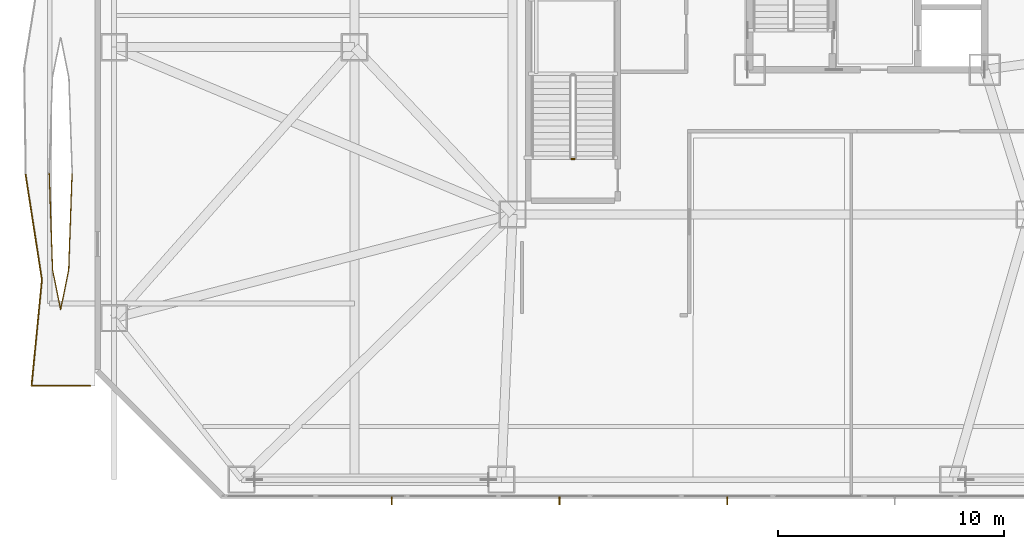
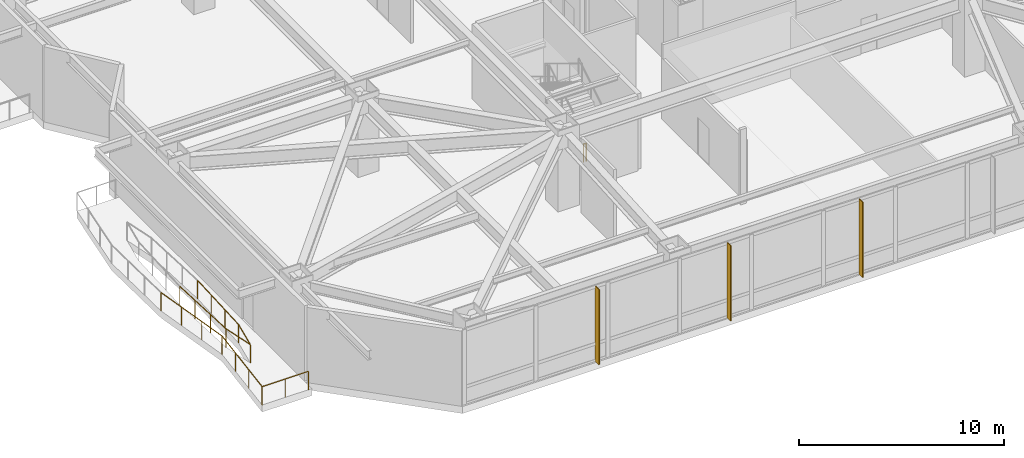
# One storey, part 26 of 33: 3 railings, 3 shading devices.
"""IFC4 building model written with IfcOpenShell, lengths in metres."""

from ifc_helpers import new_model, si_unit, direction, frame, origin, origin_2d, place, context, subcontext, project, spatial, rectangle, circle, extrude, material, type_object, element, save


model = new_model("IFC4")

# Units and contexts
model_context = context("Model", 3, precision=1e-05, world=origin(), true_north=direction((0.0, 1.0)))
body_context = subcontext(model_context, "Body", "Model", "MODEL_VIEW")
ifc_project = project(units=[si_unit("LENGTHUNIT", "METRE"), si_unit("AREAUNIT", "SQUARE_METRE"), si_unit("VOLUMEUNIT", "CUBIC_METRE"), si_unit("PLANEANGLEUNIT", "RADIAN"), si_unit("MASSUNIT", "GRAM", prefix="KILO")], contexts=[model_context])

# Site, building, storey
site_placement = place(None, origin())
site = spatial("IfcSite", under=ifc_project, at=site_placement, CompositionType="ELEMENT")
building_placement = place(site_placement, origin())
building = spatial("IfcBuilding", under=site, at=building_placement, Name="Khamvora Tower", CompositionType="ELEMENT")
storey_placement = place(building_placement, frame((0.0, 0.0, 7.199951171875)))
storey = spatial("IfcBuildingStorey", under=building, at=storey_placement, Name="L01", CompositionType="ELEMENT", Elevation=7.199951171875)

# Railings
ifc_material_1 = material(Name="Stainless Steel 316 and Laminated Glass", Category="steel")
railing_type_1 = type_object("IfcRailingType", Name="RAL-GAL-1120", PredefinedType="GUARDRAIL", material=ifc_material_1)
railing_1_placement = place(storey_placement, frame((-0.199951171875, 5.0, 0.0)))
element("IfcRailing", 1, at=railing_1_placement, inside=storey, type_object=railing_type_1, Name="L01 lens gallery south perimeter guardrail WL1", PredefinedType="GUARDRAIL", context=body_context, shape_type="SweptSolid", body=[
    extrude(circle(Radius=0.02392578125, at=origin_2d()), frame((0.0, 0.0, 1.09619140625), z_axis=(-1.0, 0.0, 0.0), x_axis=(0.0, -1.0, 0.0)), (0.0, 0.0, 1.0), 2.60498046875),
    extrude(circle(Radius=0.02392578125, at=origin_2d()), frame((-2.60498046875, 0.0, 1.09619140625), z_axis=(0.097399731226, 0.995245342796, 0.0), x_axis=(-0.995245342796, 0.097399731226, 0.0)), (0.0, 0.0, 1.0), 4.722412109375),
    extrude(circle(Radius=0.02392578125, at=origin_2d()), frame((-2.14501953125, 4.699951171875, 1.09619140625), z_axis=(-0.15307545832, 0.988214503061, 0.0), x_axis=(-0.988214503061, -0.15307545832, 0.0)), (0.0, 0.0, 1.0), 4.756103515625),
    extrude(circle(Radius=0.02099609375, at=origin_2d()), origin(), (0.0, 0.0, 1.0), 1.072021484375),
    extrude(circle(Radius=0.02099609375, at=origin_2d()), frame((-1.302490234375, 0.0, 0.0)), (0.0, 0.0, 1.0), 1.072021484375),
    extrude(circle(Radius=0.02099609375, at=origin_2d()), frame((-2.60498046875, 0.0, 0.0)), (0.0, 0.0, 1.0), 1.072021484375),
    extrude(circle(Radius=0.02099609375, at=origin_2d()), frame((-2.45166015625, 1.566650390625, 0.0)), (0.0, 0.0, 1.0), 1.072021484375),
    extrude(circle(Radius=0.02099609375, at=origin_2d()), frame((-2.29833984375, 3.13330078125, 0.0)), (0.0, 0.0, 1.0), 1.072021484375),
    extrude(circle(Radius=0.02099609375, at=origin_2d()), frame((-2.14501953125, 4.699951171875, 0.0)), (0.0, 0.0, 1.0), 1.072021484375),
    extrude(circle(Radius=0.02099609375, at=origin_2d()), frame((-2.3876953125, 6.2666015625, 0.0)), (0.0, 0.0, 1.0), 1.072021484375),
    extrude(circle(Radius=0.02099609375, at=origin_2d()), frame((-2.63037109375, 7.833251953125, 0.0)), (0.0, 0.0, 1.0), 1.072021484375),
    extrude(circle(Radius=0.02099609375, at=origin_2d()), frame((-2.873046875, 9.39990234375, 0.0)), (0.0, 0.0, 1.0), 1.072021484375),
])
railing_2_placement = place(storey_placement, frame((-2.01904296875, 14.39990234375, 0.0)))
element("IfcRailing", 2, at=railing_2_placement, inside=storey, type_object=railing_type_1, Name="L01 lens gallery void guardrail WL1B", PredefinedType="GUARDRAIL", context=body_context, shape_type="SweptSolid", body=[
    extrude(circle(Radius=0.02392578125, at=origin_2d()), frame((0.0, 0.0, 1.09619140625), z_axis=(0.034758598303, -0.999395737355, 0.0), x_axis=(0.999395737355, 0.034758598303, 0.0)), (0.0, 0.0, 1.0), 4.256591796875),
    extrude(circle(Radius=0.02392578125, at=origin_2d()), frame((0.14794921875, -4.25390625, 1.09619140625), z_axis=(0.198152924969, -0.98017111686, 0.0), x_axis=(0.98017111686, 0.198152924969, 0.0)), (0.0, 0.0, 1.0), 1.797607421875),
    extrude(circle(Radius=0.02392578125, at=origin_2d()), frame((0.504150390625, -6.015869140625, 1.09619140625), z_axis=(0.198022438185, 0.980197487232, 0.0), x_axis=(-0.980197487232, 0.198022438185, 0.0)), (0.0, 0.0, 1.0), 1.797607421875),
    extrude(circle(Radius=0.02392578125, at=origin_2d()), frame((0.860107421875, -4.25390625, 1.09619140625), z_axis=(0.034758598303, 0.999395737355, 0.0), x_axis=(-0.999395737355, 0.034758598303, 0.0)), (0.0, 0.0, 1.0), 4.256591796875),
    extrude(circle(Radius=0.02099609375, at=origin_2d()), origin(), (0.0, 0.0, 1.0), 1.072021484375),
    extrude(circle(Radius=0.02099609375, at=origin_2d()), frame((0.04931640625, -1.41796875, 0.0)), (0.0, 0.0, 1.0), 1.072021484375),
    extrude(circle(Radius=0.02099609375, at=origin_2d()), frame((0.0986328125, -2.8359375, 0.0)), (0.0, 0.0, 1.0), 1.072021484375),
    extrude(circle(Radius=0.02099609375, at=origin_2d()), frame((0.14794921875, -4.25390625, 0.0)), (0.0, 0.0, 1.0), 1.072021484375),
    extrude(circle(Radius=0.02099609375, at=origin_2d()), frame((0.504150390625, -6.015869140625, 0.0)), (0.0, 0.0, 1.0), 1.072021484375),
    extrude(circle(Radius=0.02099609375, at=origin_2d()), frame((0.860107421875, -4.25390625, 0.0)), (0.0, 0.0, 1.0), 1.072021484375),
    extrude(circle(Radius=0.02099609375, at=origin_2d()), frame((0.909423828125, -2.8359375, 0.0)), (0.0, 0.0, 1.0), 1.072021484375),
    extrude(circle(Radius=0.02099609375, at=origin_2d()), frame((0.958740234375, -1.41796875, 0.0)), (0.0, 0.0, 1.0), 1.072021484375),
    extrude(circle(Radius=0.02099609375, at=origin_2d()), frame((1.008056640625, 0.0, 0.0)), (0.0, 0.0, 1.0), 1.072021484375),
])
ifc_material_2 = material(Name="Stainless Steel 316", Category="steel")
railing_type_2 = type_object("IfcRailingType", Name="RAL-STG-1100", PredefinedType="GUARDRAIL", material=ifc_material_2)
railing_3_placement = place(storey_placement, frame((21.25, 15.050048828125, 0.0)))
element("IfcRailing", 3, at=railing_3_placement, inside=storey, type_object=railing_type_2, Name="L01 ST-03 stair guard 4", PredefinedType="GUARDRAIL", context=body_context, shape_type="SweptSolid", body=[
    extrude(circle(Radius=0.02392578125, at=origin_2d()), frame((0.0, 0.0, 1.076171875), z_axis=(-1.0, 0.0, 0.0), x_axis=(0.0, -1.0, 0.0)), (0.0, 0.0, 1.0), 0.14990234375),
    extrude(circle(Radius=0.02099609375, at=origin_2d()), origin(), (0.0, 0.0, 1.0), 1.052001953125),
    extrude(circle(Radius=0.02099609375, at=origin_2d()), frame((-0.14990234375, 0.0, 0.0)), (0.0, 0.0, 1.0), 1.052001953125),
])

# Shading devices
ifc_material_3 = material(Name="Anodised Bronze Aluminium 6063-T6", Category="aluminium")
shading_device_type = type_object("IfcShadingDeviceType", Name="SHD-FIN-350", PredefinedType="USERDEFINED", material=ifc_material_3)
for number, where, z_axis, x_axis, name in (
    (4, (28.0, -0.077880859375, 0.0), (0.0, 0.0, 1.0), (-1.0, 0.0, 0.0), "L01 anodised bronze solar fin 14.03"),
    (5, (20.574951171875, -0.077880859375, 0.0), (0.0, 0.0, 1.0), (-1.0, 0.0, 0.0), "L01 anodised bronze solar fin 14.04"),
    (6, (13.14990234375, -0.077880859375, 0.0), (0.0, 0.0, 1.0), (-1.0, 0.0, 0.0), "L01 anodised bronze solar fin 14.05"),
):
    element("IfcShadingDevice", number, at=place(storey_placement, frame(where, z_axis=z_axis, x_axis=x_axis)), inside=storey, type_object=shading_device_type, Name=name, ObjectType="FIN", PredefinedType="USERDEFINED", context=body_context, shape_type="SweptSolid", body=[
        extrude(rectangle(XDim=0.054931640625, YDim=0.35009765625, at=origin_2d()), origin(), (0.0, 0.0, 1.0), 4.47998046875),
    ])

save(model, "model.ifc")
